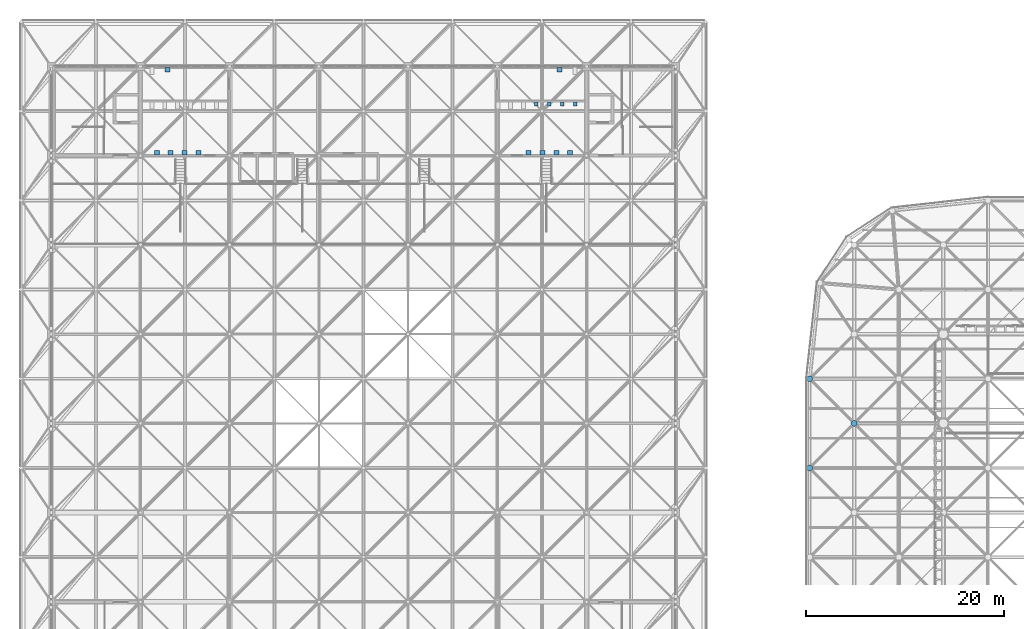
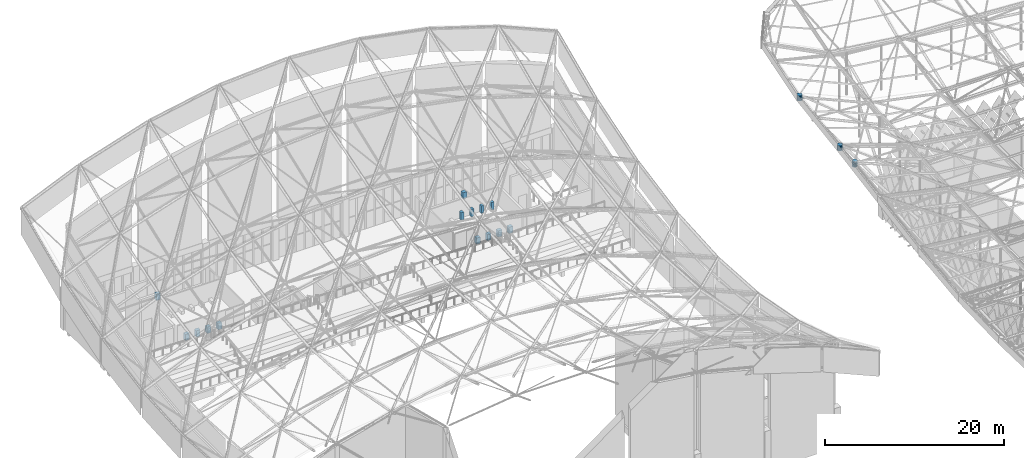
# One storey, part 315 of 437: 17 discrete accessories.
"""IFC4 building model written with IfcOpenShell, lengths in metres."""

from ifc_helpers import new_model, si_unit, direction, frame, origin, origin_2d, place, context, subcontext, project, spatial, polyline, rectangle, outline, extrude, material, type_object, element, save


model = new_model("IFC4")

# Units and contexts
model_context = context("Model", 3, precision=1e-05, world=origin(), true_north=direction((0.0, 1.0)))
body_context = subcontext(model_context, "Body", "Model", "MODEL_VIEW")
ifc_project = project(units=[si_unit("LENGTHUNIT", "METRE"), si_unit("AREAUNIT", "SQUARE_METRE"), si_unit("VOLUMEUNIT", "CUBIC_METRE"), si_unit("PLANEANGLEUNIT", "RADIAN"), si_unit("MASSUNIT", "GRAM", prefix="KILO")], contexts=[model_context])

# Site, building, storey
site_placement = place(None, origin())
site = spatial("IfcSite", under=ifc_project, at=site_placement, CompositionType="ELEMENT")
building_placement = place(site_placement, origin())
building = spatial("IfcBuilding", under=site, at=building_placement, Name="Opaline Strait Convention Centre", CompositionType="ELEMENT")
storey_placement = place(building_placement, frame((0.0, 0.0, 11.5)))
storey = spatial("IfcBuildingStorey", under=building, at=storey_placement, Name="L02", CompositionType="ELEMENT", Elevation=11.5)

# Discrete accessories
ifc_material_1 = material(Name="Cast steel ZG300-500H (300 MPa)", Category="steel")
discrete_accessory_type_1 = type_object("IfcDiscreteAccessoryType", Name="Space frame node hub D600", PredefinedType="USERDEFINED", material=ifc_material_1)
discrete_accessory_1_placement = place(storey_placement, frame((0.0, 0.0, 22.0634765625)))
element("IfcDiscreteAccessory", 1, at=discrete_accessory_1_placement, inside=storey, type_object=discrete_accessory_type_1, Name="Top node 1/12", ObjectType="NODE HUB", PredefinedType="USERDEFINED", context=body_context, shape_type="SweptSolid", body=[
    extrude(outline(polyline([(85.800048828125, 139.559814453125), (85.75439453125, 139.669921875), (85.669921875, 139.75439453125), (85.559814453125, 139.800048828125), (85.440185546875, 139.800048828125), (85.330078125, 139.75439453125), (85.24560546875, 139.669921875), (85.199951171875, 139.559814453125), (85.199951171875, 139.440185546875), (85.24560546875, 139.330078125), (85.330078125, 139.24560546875), (85.440185546875, 139.199951171875), (85.559814453125, 139.199951171875), (85.669921875, 139.24560546875), (85.75439453125, 139.330078125), (85.800048828125, 139.440185546875), (85.800048828125, 139.559814453125)])), origin(), (0.0, 0.0, 1.0), 0.719970703125),
])
discrete_accessory_2_placement = place(storey_placement, frame((0.0, 0.0, 23.408203125)))
element("IfcDiscreteAccessory", 2, at=discrete_accessory_2_placement, inside=storey, type_object=discrete_accessory_type_1, Name="Top node 1/13", ObjectType="NODE HUB", PredefinedType="USERDEFINED", context=body_context, shape_type="SweptSolid", body=[
    extrude(outline(polyline([(85.800048828125, 148.559814453125), (85.75439453125, 148.669921875), (85.669921875, 148.75439453125), (85.559814453125, 148.800048828125), (85.440185546875, 148.800048828125), (85.330078125, 148.75439453125), (85.24560546875, 148.669921875), (85.199951171875, 148.559814453125), (85.199951171875, 148.440185546875), (85.24560546875, 148.330078125), (85.330078125, 148.24560546875), (85.440185546875, 148.199951171875), (85.559814453125, 148.199951171875), (85.669921875, 148.24560546875), (85.75439453125, 148.330078125), (85.800048828125, 148.440185546875), (85.800048828125, 148.559814453125)])), origin(), (0.0, 0.0, 1.0), 0.719970703125),
])
discrete_accessory_3_placement = place(storey_placement, frame((0.0, 0.0, 15.54150390625)))
element("IfcDiscreteAccessory", 3, at=discrete_accessory_3_placement, inside=storey, type_object=discrete_accessory_type_1, Name="Bottom node 1/12", ObjectType="NODE HUB", PredefinedType="USERDEFINED", context=body_context, shape_type="SweptSolid", body=[
    extrude(outline(polyline([(90.300048828125, 144.059814453125), (90.25439453125, 144.169921875), (90.169921875, 144.25439453125), (90.059814453125, 144.300048828125), (89.940185546875, 144.300048828125), (89.830078125, 144.25439453125), (89.74560546875, 144.169921875), (89.699951171875, 144.059814453125), (89.699951171875, 143.940185546875), (89.74560546875, 143.830078125), (89.830078125, 143.74560546875), (89.940185546875, 143.699951171875), (90.059814453125, 143.699951171875), (90.169921875, 143.74560546875), (90.25439453125, 143.830078125), (90.300048828125, 143.940185546875), (90.300048828125, 144.059814453125)])), origin(), (0.0, 0.0, 1.0), 0.719970703125),
])
ifc_material_2 = material(Name="Vitreous china, white")
discrete_accessory_type_2 = type_object("IfcDiscreteAccessoryType", Name="Urinal 350 x 400", PredefinedType="USERDEFINED", material=ifc_material_2)
for number, where, z_axis, x_axis, name in (
    (4, (61.85009765625, 176.22509765625, 0.0), (0.0, 0.0, 1.0), (1.0, 0.0, 0.0), "PFX2 urinal 01"),
    (5, (60.550048828125, 176.22509765625, 0.0), (0.0, 0.0, 1.0), (1.0, 0.0, 0.0), "PFX2 urinal 02"),
    (6, (59.25, 176.22509765625, 0.0), (0.0, 0.0, 1.0), (1.0, 0.0, 0.0), "PFX2 urinal 03"),
    (7, (57.949951171875, 176.22509765625, 0.0), (0.0, 0.0, 1.0), (1.0, 0.0, 0.0), "PFX2 urinal 04"),
):
    element("IfcDiscreteAccessory", number, at=place(storey_placement, frame(where, z_axis=z_axis, x_axis=x_axis)), inside=storey, type_object=discrete_accessory_type_2, Name=name, ObjectType="SANITARY FITTING", PredefinedType="USERDEFINED", context=body_context, shape_type="SweptSolid", body=[
        extrude(rectangle(XDim=0.35009765625, YDim=0.39990234375, at=origin_2d()), origin(), (0.0, 0.0, 1.0), 1.0),
    ])
discrete_accessory_type_3 = type_object("IfcDiscreteAccessoryType", Name="Wash basin 500 x 450", PredefinedType="USERDEFINED", material=ifc_material_2)
for number, where, z_axis, x_axis, name in (
    (8, (19.64990234375, 171.300048828125, 0.0), (0.0, 0.0, 1.0), (1.0, 0.0, 0.0), "PFX3 wash B1"),
    (9, (21.050048828125, 171.300048828125, 0.0), (0.0, 0.0, 1.0), (1.0, 0.0, 0.0), "PFX3 wash B2"),
    (10, (22.449951171875, 171.300048828125, 0.0), (0.0, 0.0, 1.0), (1.0, 0.0, 0.0), "PFX3 wash B3"),
    (11, (23.85009765625, 171.300048828125, 0.0), (0.0, 0.0, 1.0), (1.0, 0.0, 0.0), "PFX3 wash B4"),
    (12, (20.75, 179.675048828125, 0.0), (0.0, 0.0, 1.0), (1.0, 0.0, 0.0), "PFX3 wash A2"),
    (13, (61.35009765625, 171.300048828125, 0.0), (0.0, 0.0, 1.0), (1.0, 0.0, 0.0), "PFX3 wash B1"),
    (14, (59.949951171875, 171.300048828125, 0.0), (0.0, 0.0, 1.0), (1.0, 0.0, 0.0), "PFX3 wash B2"),
    (15, (58.550048828125, 171.300048828125, 0.0), (0.0, 0.0, 1.0), (1.0, 0.0, 0.0), "PFX3 wash B3"),
    (16, (57.14990234375, 171.300048828125, 0.0), (0.0, 0.0, 1.0), (1.0, 0.0, 0.0), "PFX3 wash B4"),
    (17, (60.25, 179.675048828125, 0.0), (0.0, 0.0, 1.0), (1.0, 0.0, 0.0), "PFX3 wash A2"),
):
    element("IfcDiscreteAccessory", number, at=place(storey_placement, frame(where, z_axis=z_axis, x_axis=x_axis)), inside=storey, type_object=discrete_accessory_type_3, Name=name, ObjectType="SANITARY FITTING", PredefinedType="USERDEFINED", context=body_context, shape_type="SweptSolid", body=[
        extrude(rectangle(XDim=0.5, YDim=0.449951171875, at=origin_2d()), origin(), (0.0, 0.0, 1.0), 0.85009765625),
    ])

save(model, "model.ifc")
